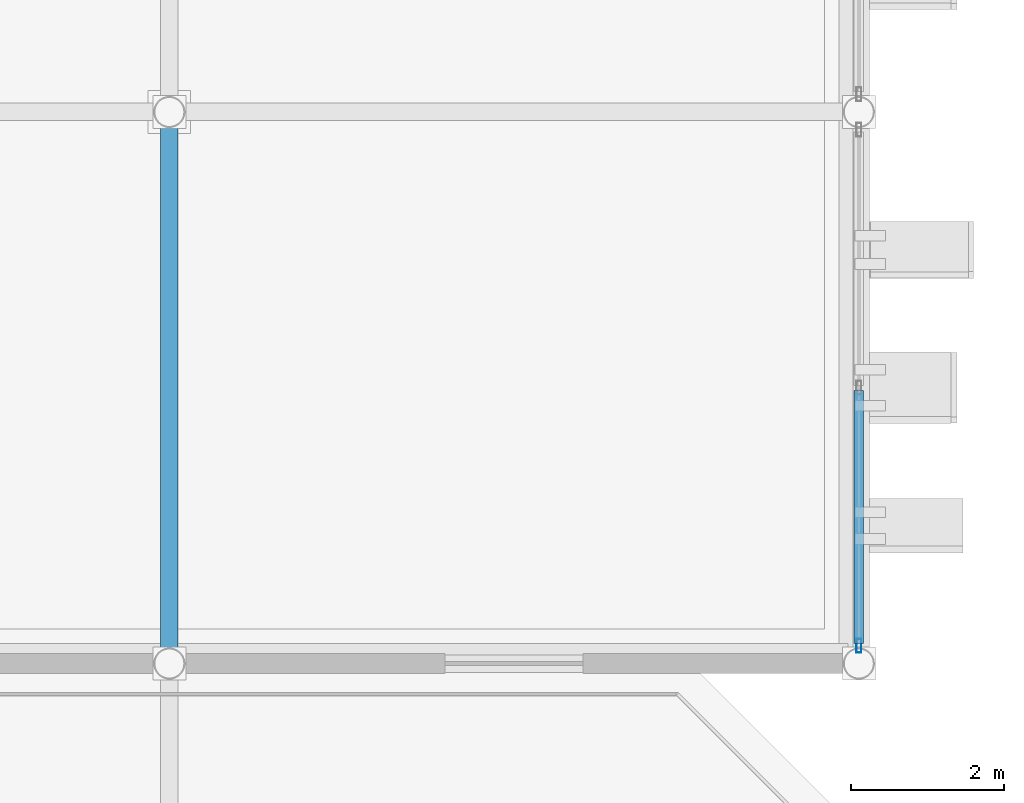
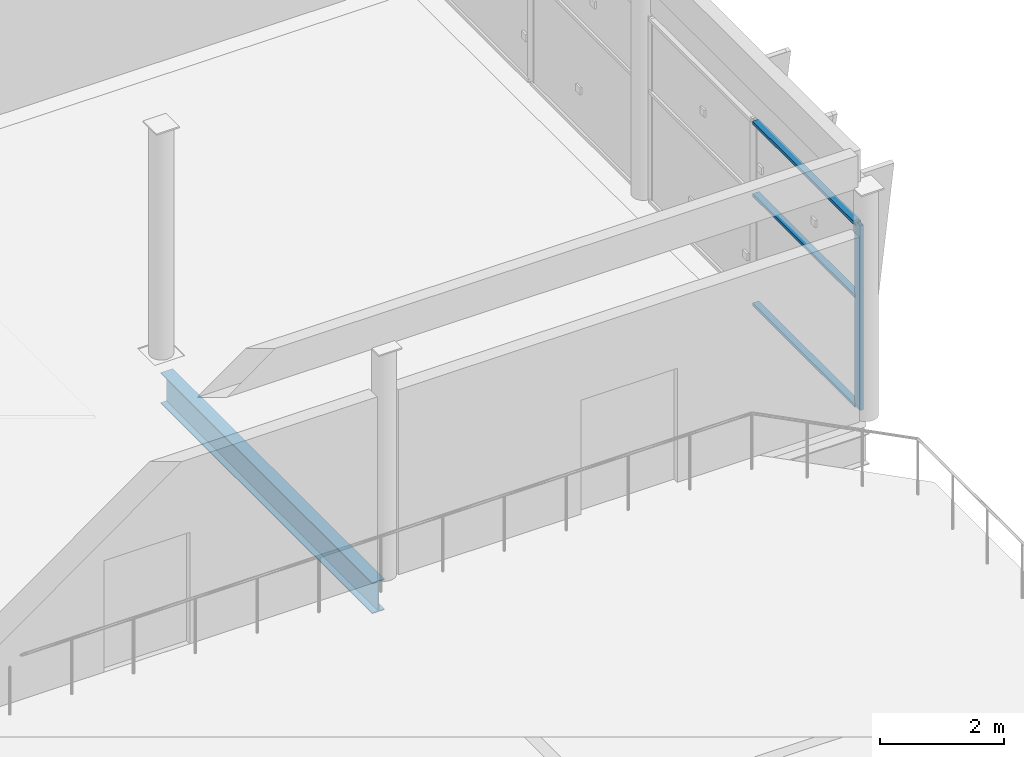
# One storey, part 19 of 52: 4 members, 1 beam, 1 element without a shape of its own.
"""IFC4 building model written with IfcOpenShell, lengths in metres."""

from ifc_helpers import new_model, si_unit, direction, frame, origin, origin_2d, place, context, subcontext, project, spatial, hollow_rectangle, i_section, extrude, material, layer, layer_set, material_profile, profile_set, type_object, element, aggregate, save


model = new_model("IFC4")

# Units and contexts
model_context = context("Model", 3, precision=1e-05, world=origin(), true_north=direction((0.0, 1.0)))
body_context = subcontext(model_context, "Body", "Model", "MODEL_VIEW")
ifc_project = project(units=[si_unit("LENGTHUNIT", "METRE"), si_unit("AREAUNIT", "SQUARE_METRE"), si_unit("VOLUMEUNIT", "CUBIC_METRE"), si_unit("PLANEANGLEUNIT", "RADIAN"), si_unit("MASSUNIT", "GRAM", prefix="KILO")], contexts=[model_context])

# Site, building, storey
site_placement = place(None, origin())
site = spatial("IfcSite", under=ifc_project, at=site_placement, CompositionType="ELEMENT")
building_placement = place(site_placement, origin())
building = spatial("IfcBuilding", under=site, at=building_placement, Name="Celestram Park Convention Centre", CompositionType="ELEMENT")
storey_placement = place(building_placement, frame((0.0, 0.0, 24.300048828125)))
storey = spatial("IfcBuildingStorey", under=building, at=storey_placement, Name="L05", CompositionType="ELEMENT", Elevation=24.300048828125)

# Curtain wall, members
ifc_material_1 = material(Name="Anodised Aluminium Alloy 6063-T6", Category="aluminium")
ifc_layer = layer(ifc_material_1, 0.179931640625)
ifc_layer_set = layer_set([ifc_layer], Name="Anodised Aluminium Alloy 6063-T6")
curtain_wall_type = type_object("IfcCurtainWallType", Name="ARC-CW-680X365", PredefinedType="NOTDEFINED", material=ifc_layer_set)
curtain_wall_placement = place(storey_placement, origin())
curtain_wall = element("IfcCurtainWall", 1, at=curtain_wall_placement, inside=storey, type_object=curtain_wall_type, Name="Unitised curtain wall CU-L05-255", PredefinedType="NOTDEFINED")
ifc_material_profile_1 = material_profile(ifc_material_1, hollow_rectangle(XDim=0.06494140625, YDim=0.179931640625, WallThickness=0.00390625, at=origin_2d()), Name="ALU65X180X4")
ifc_profile_set_1 = profile_set([ifc_material_profile_1], Name="Anodised Aluminium Alloy 6063-T6")
member_type_1 = type_object("IfcMemberType", Name="ARC-CWM-150", PredefinedType="MULLION", material=ifc_profile_set_1)
member_1_placement = place(storey_placement, frame((99.0, 129.83154296875, 0.0), z_axis=(0.0, 0.0, 1.0), x_axis=(1.0, 0.0, 0.0)))
member_1 = element("IfcMember", 2, at=member_1_placement, type_object=member_type_1, Name="CW-68X36 mullion 3", PredefinedType="MULLION", context=body_context, shape_type="SweptSolid", body=[
    extrude(hollow_rectangle(XDim=0.06494140625, YDim=0.179931640625, WallThickness=0.00390625, at=origin_2d()), origin(), (0.0, 0.0, 1.0), 3.64794921875),
])
ifc_material_profile_2 = material_profile(ifc_material_1, hollow_rectangle(XDim=0.1201171875, YDim=0.06005859375, WallThickness=0.0029296875, at=origin_2d()), Name="ALU120X60X3")
ifc_profile_set_2 = profile_set([ifc_material_profile_2], Name="Anodised Aluminium Alloy 6063-T6")
member_type_2 = type_object("IfcMemberType", Name="ARC-CWT-120", PredefinedType="USERDEFINED", material=ifc_profile_set_2)
member_2_placement = place(storey_placement, frame((99.0, 133.16748046875, 0.030029296875), z_axis=(0.0, -1.0, 0.0), x_axis=(1.0, 0.0, 0.0)))
member_2 = element("IfcMember", 3, at=member_2_placement, type_object=member_type_2, Name="CW-68X36 transom 2.1", ObjectType="TRANSOM", PredefinedType="USERDEFINED", context=body_context, shape_type="SweptSolid", body=[
    extrude(hollow_rectangle(XDim=0.1201171875, YDim=0.06005859375, WallThickness=0.0029296875, at=origin_2d()), origin(), (0.0, 0.0, 1.0), 3.303466796875),
])
member_3_placement = place(storey_placement, frame((99.0, 133.16748046875, 2.18896484375), z_axis=(0.0, -1.0, 0.0), x_axis=(1.0, 0.0, 0.0)))
member_3 = element("IfcMember", 4, at=member_3_placement, type_object=member_type_2, Name="CW-68X36 transom 2.2", ObjectType="TRANSOM", PredefinedType="USERDEFINED", context=body_context, shape_type="SweptSolid", body=[
    extrude(hollow_rectangle(XDim=0.1201171875, YDim=0.06005859375, WallThickness=0.0029296875, at=origin_2d()), origin(), (0.0, 0.0, 1.0), 3.303466796875),
])
member_4_placement = place(storey_placement, frame((99.0, 133.16748046875, 3.617919921875), z_axis=(0.0, -1.0, 0.0), x_axis=(1.0, 0.0, 0.0)))
member_4 = element("IfcMember", 5, at=member_4_placement, type_object=member_type_2, Name="CW-68X36 transom 2.3", ObjectType="TRANSOM", PredefinedType="USERDEFINED", context=body_context, shape_type="SweptSolid", body=[
    extrude(hollow_rectangle(XDim=0.1201171875, YDim=0.06005859375, WallThickness=0.0029296875, at=origin_2d()), origin(), (0.0, 0.0, 1.0), 3.303466796875),
])
aggregate(curtain_wall, [member_1, member_2, member_3, member_4])

# Beam
ifc_material_2 = material(Name="Steel ASTM A992 Grade 50", Category="steel")
ifc_material_profile_3 = material_profile(ifc_material_2, i_section(OverallWidth=0.22900390625, OverallDepth=0.612060546875, WebThickness=0.011962890625, FlangeThickness=0.01953125, at=origin_2d()), Name="W24X84")
ifc_profile_set_3 = profile_set([ifc_material_profile_3], Name="Steel ASTM A992 Grade 50")
beam_type = type_object("IfcBeamType", Name="STR-BM-W24X84", PredefinedType="BEAM", material=ifc_profile_set_3)
beam_placement = place(storey_placement, frame((90.0, 129.77587890625, -0.546142578125), z_axis=(0.0, 1.0, 0.0), x_axis=(-1.0, 0.0, 0.0)))
element("IfcBeam", 6, at=beam_placement, inside=storey, type_object=beam_type, Name="Primary Y-girder BG-L05-0092", PredefinedType="BEAM", context=body_context, shape_type="SweptSolid", body=[
    extrude(i_section(OverallWidth=0.22900390625, OverallDepth=0.612060546875, WebThickness=0.011962890625, FlangeThickness=0.01953125, at=origin_2d()), origin(), (0.0, 0.0, 1.0), 6.84814453125),
])

save(model, "model.ifc")
